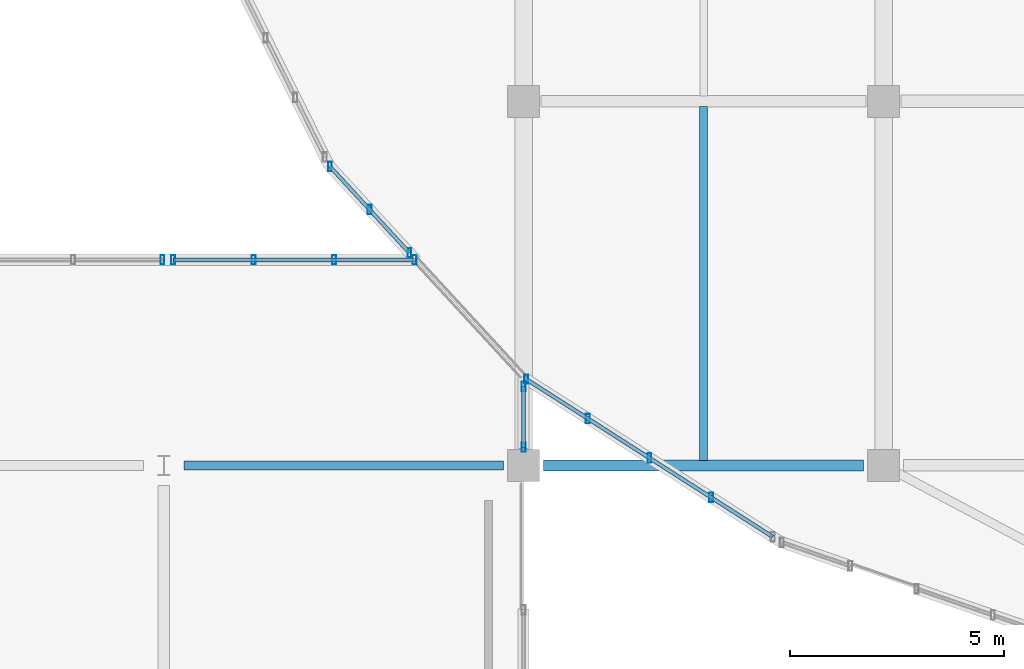
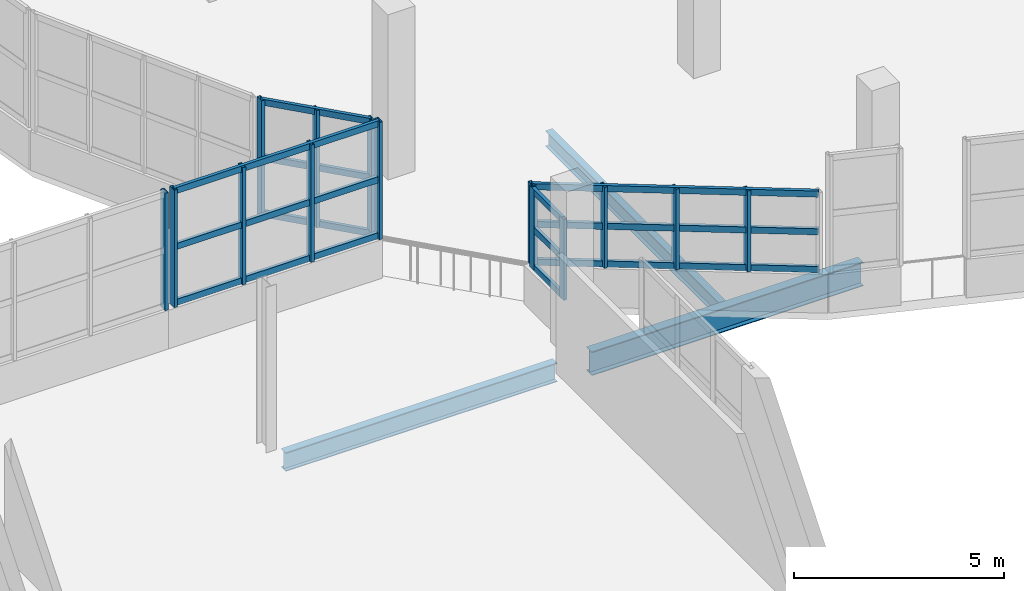
# One storey, part 11 of 117: 26 members, 3 beams, 5 elements without a shape of their own.
"""IFC4 building model written with IfcOpenShell, lengths in metres."""

import ifcopenshell
import ifcopenshell.guid

model = None  # the IFC model being written
_history = None  # IfcOwnerHistory: only IFC2X3 demands one
_inside = {}  # id of a spatial element -> (the spatial element, [elements in it])
_under = {}  # id of a project, library or spatial element -> (it, [spatial elements below it])
_declared = {}  # id of a project -> (the project, [libraries it declares])
_typed = {}  # id of a type object -> (the type object, [elements of that type])
_made_of = {}  # id of a material, layer set ... -> (it, [elements and type objects made of it])


def new_model(schema):
    """Start an empty IFC model of exactly this schema.

    Asked for "IFC4X3", IfcOpenShell would pick the latest addendum, in which some entities
    have other attributes; the version numbers below select the first issue.
    IFC2X3 requires an IfcOwnerHistory on every rooted entity: one is made here for all.
    """
    global model, _history
    if schema == "IFC4X3":
        model = ifcopenshell.file(schema_version=(4, 3, 0, 0))
    else:
        model = ifcopenshell.file(schema=schema)
    _inside.clear()
    _under.clear()
    _declared.clear()
    _typed.clear()
    _made_of.clear()
    _history = None
    if model.schema == "IFC2X3":
        org = make("IfcOrganization", Name="unknown")
        user = make(
            "IfcPersonAndOrganization",
            ThePerson=make("IfcPerson", FamilyName="unknown"),
            TheOrganization=org,
        )
        app = make(
            "IfcApplication",
            ApplicationDeveloper=org,
            Version="unknown",
            ApplicationFullName="unknown",
            ApplicationIdentifier="unknown",
        )
        _history = make(
            "IfcOwnerHistory",
            OwningUser=user,
            OwningApplication=app,
            ChangeAction="ADDED",
            CreationDate=0,
        )
    return model


def make(cls, **values):
    """One entity of the class cls with the attributes given. An attribute that is None is left unset."""
    return model.create_entity(
        cls, **{name: value for name, value in values.items() if value is not None}
    )


def rooted(cls, **values):
    """An entity with a GlobalId (a new one), such as an element, a storey or a relation."""
    return make(cls, GlobalId=ifcopenshell.guid.new(), OwnerHistory=_history, **values)


def si_unit(unit_type, name, prefix=None):
    """IfcSIUnit, for example si_unit("LENGTHUNIT", "METRE", prefix="MILLI")."""
    return make("IfcSIUnit", UnitType=unit_type, Prefix=prefix, Name=name)


def assignment(units):
    """IfcUnitAssignment: the units of a project."""
    return None if units is None else make("IfcUnitAssignment", Units=units)


def point(xyz):
    """IfcCartesianPoint."""
    return None if xyz is None else make("IfcCartesianPoint", Coordinates=xyz)


def direction(xyz):
    """IfcDirection."""
    return None if xyz is None else make("IfcDirection", DirectionRatios=xyz)


def frame(location, z_axis=None, x_axis=None):
    """IfcAxis2Placement3D, a coordinate frame: its origin and axes. An axis left out is left unset."""
    return make(
        "IfcAxis2Placement3D",
        Location=point(location),
        Axis=direction(z_axis),
        RefDirection=direction(x_axis),
    )


def frame_2d(location, x_axis=None):
    """IfcAxis2Placement2D, a coordinate frame in the plane: its origin and x axis."""
    return make(
        "IfcAxis2Placement2D", Location=point(location), RefDirection=direction(x_axis)
    )


def origin():
    """The frame at (0, 0, 0) with its axes left unset."""
    return frame((0.0, 0.0, 0.0))


def origin_2d():
    """The frame at (0, 0) in the plane with its x axis left unset."""
    return frame_2d((0.0, 0.0))


def place(relative_to, where):
    """IfcLocalPlacement: puts the frame where relative to a parent placement (None: the world)."""
    return make(
        "IfcLocalPlacement", PlacementRelTo=relative_to, RelativePlacement=where
    )


def context(
    kind, dimensions, precision=None, world=None, true_north=None, identifier=None
):
    """IfcGeometricRepresentationContext, for example the 3D "Model" context."""
    return make(
        "IfcGeometricRepresentationContext",
        ContextIdentifier=identifier,
        ContextType=kind,
        CoordinateSpaceDimension=dimensions,
        Precision=precision,
        WorldCoordinateSystem=world,
        TrueNorth=true_north,
    )


def subcontext(parent, identifier, kind, view, scale=None):
    """IfcGeometricRepresentationSubContext, for example "Body" below "Model"."""
    return make(
        "IfcGeometricRepresentationSubContext",
        ContextIdentifier=identifier,
        ContextType=kind,
        ParentContext=parent,
        TargetScale=scale,
        TargetView=view,
    )


def project(units=None, contexts=None):
    """IfcProject with its units and contexts."""
    return rooted(
        "IfcProject",
        Name="project",
        RepresentationContexts=contexts,
        UnitsInContext=assignment(units),
    )


def spatial(cls, under=None, at=None, **own):
    """A site, building, storey or space (cls), placed at a placement, below another one or the project."""
    s = rooted(cls, ObjectPlacement=at, **own)
    if under is not None:
        _under.setdefault(under.id(), (under, []))[1].append(s)
    return s


def profile(cls, at=None, kind="AREA", **sizes):
    """A parametric profile (cls). Its sizes go by their IFC names, for example OverallWidth=200.0."""
    return make(cls, ProfileType=kind, Position=at, **sizes)


def hollow_rectangle(**sizes):
    """IfcRectangleHollowProfileDef."""
    return profile("IfcRectangleHollowProfileDef", **sizes)


def i_section(**sizes):
    """IfcIShapeProfileDef."""
    return profile("IfcIShapeProfileDef", **sizes)


def extrude(swept, where, along, depth):
    """IfcExtrudedAreaSolid: the profile swept, set in the frame where, extruded along a direction by depth."""
    return make(
        "IfcExtrudedAreaSolid",
        SweptArea=swept,
        Position=where,
        ExtrudedDirection=direction(along),
        Depth=depth,
    )


def shape(context_of_items, identifier, shape_type, items):
    """IfcShapeRepresentation: the items that make up one representation, for example the "Body"."""
    return make(
        "IfcShapeRepresentation",
        ContextOfItems=context_of_items,
        RepresentationIdentifier=identifier,
        RepresentationType=shape_type,
        Items=items,
    )


def material(Name=None, Category=None):
    """IfcMaterial."""
    return make("IfcMaterial", Name=Name, Category=Category)


def material_profile(
    of_material, cross_section, Name=None, Category=None, Priority=None
):
    """IfcMaterialProfile: a cross section and its material."""
    return make(
        "IfcMaterialProfile",
        Name=Name,
        Material=of_material,
        Profile=cross_section,
        Priority=Priority,
        Category=Category,
    )


def profile_set(profiles, Name=None, composite=None):
    """IfcMaterialProfileSet."""
    return make(
        "IfcMaterialProfileSet",
        Name=Name,
        MaterialProfiles=profiles,
        CompositeProfile=composite,
    )


def made_of(thing, what):
    """Note that an element or type object is made of a material, layer set ...; save() writes the relation."""
    if what is not None:
        _made_of.setdefault(what.id(), (what, []))[1].append(thing)
    return thing


def type_object(cls, material=None, **own):
    """A type object (cls), such as IfcWallType, which elements share."""
    return made_of(rooted(cls, **own), material)


def element(
    cls,
    number,
    at=None,
    inside=None,
    cuts=None,
    type_object=None,
    material=None,
    context=None,
    identifier="Body",
    shape_type=None,
    held_by="IfcProductDefinitionShape",
    body=None,
    shapes=None,
    **own,
):
    """One element of the class cls, such as IfcWall. Its Tag is "e" and its number.

    at: its placement. inside: the storey or other place that contains it. cuts: it is an
    opening in that element (IfcRelVoidsElement). A single representation is given by context,
    identifier, shape_type and body (its items); several are given by shapes. held_by: the class
    of the entity that holds the representations. save() writes the other relations.
    """
    e = rooted(cls, Tag="e%d" % number, ObjectPlacement=at, **own)
    if body is not None:
        shapes = [shape(context, identifier, shape_type, body)]
    if shapes is not None:
        e.Representation = make(held_by, Representations=shapes)
    if inside is not None:
        _inside.setdefault(inside.id(), (inside, []))[1].append(e)
    if cuts is not None:
        rooted(
            "IfcRelVoidsElement", RelatingBuildingElement=cuts, RelatedOpeningElement=e
        )
    if type_object is not None:
        _typed.setdefault(type_object.id(), (type_object, []))[1].append(e)
    return made_of(e, material)


def aggregate(whole, parts):
    """IfcRelAggregates: a whole, such as a stair, and the parts it consists of."""
    return rooted("IfcRelAggregates", RelatingObject=whole, RelatedObjects=parts)


def save(model, path):
    """Write the relations noted so far, then the file.

    IfcRelAggregates (storeys below a building ...), IfcRelContainedInSpatialStructure (elements
    in a storey), IfcRelDefinesByType, IfcRelAssociatesMaterial and IfcRelDeclares: one each for
    every whole, place, type object, material and project.
    """
    for whole, parts in _under.values():
        aggregate(whole, parts)
    for where, things in _inside.values():
        rooted(
            "IfcRelContainedInSpatialStructure",
            RelatedElements=things,
            RelatingStructure=where,
        )
    for kind, things in _typed.values():
        rooted("IfcRelDefinesByType", RelatedObjects=things, RelatingType=kind)
    for what, things in _made_of.values():
        rooted("IfcRelAssociatesMaterial", RelatedObjects=things, RelatingMaterial=what)
    for by, libraries in _declared.values():
        rooted("IfcRelDeclares", RelatingContext=by, RelatedDefinitions=libraries)
    model.write(path)


model = new_model("IFC4")

# Units and contexts
model_context = context("Model", 3, precision=1e-05, world=origin(), true_north=direction((0.0, 1.0)))
body_context = subcontext(model_context, "Body", "Model", "MODEL_VIEW")
ifc_project = project(units=[si_unit("LENGTHUNIT", "METRE"), si_unit("AREAUNIT", "SQUARE_METRE"), si_unit("VOLUMEUNIT", "CUBIC_METRE"), si_unit("PLANEANGLEUNIT", "RADIAN"), si_unit("MASSUNIT", "GRAM", prefix="KILO")], contexts=[model_context])

# Site, building, storey
site_placement = place(None, origin())
site = spatial("IfcSite", under=ifc_project, at=site_placement, CompositionType="ELEMENT")
building_placement = place(site_placement, origin())
building = spatial("IfcBuilding", under=site, at=building_placement, Name="Solvento Point Concert Hall", CompositionType="ELEMENT")
storey_placement = place(building_placement, frame((0.0, 0.0, 5.39990234375)))
storey = spatial("IfcBuildingStorey", under=building, at=storey_placement, Name="L01", CompositionType="ELEMENT", Elevation=5.39990234375)

# Beams
ifc_material_1 = material(Name="Structural Steel ASTM A992 Grade 50", Category="steel")
ifc_material_profile_1 = material_profile(ifc_material_1, i_section(OverallWidth=0.214111328125, OverallDepth=0.549072265625, WebThickness=0.0146484375, FlangeThickness=0.023681640625, at=origin_2d()), Name="W21X93")
ifc_profile_set_1 = profile_set([ifc_material_profile_1], Name="Structural Steel ASTM A992 Grade 50")
beam_type_1 = type_object("IfcBeamType", Name="Beam_W21X93", PredefinedType="BEAM", material=ifc_profile_set_1)
beam_1_placement = place(storey_placement, frame((32.868896484375, 17.0, -0.558349609375), z_axis=(1.0, 0.0, 0.0), x_axis=(0.0, 1.0, 0.0)))
element("IfcBeam", 1, at=beam_1_placement, inside=storey, type_object=beam_type_1, Name="Primary girder B-48 L01", PredefinedType="BEAM", context=body_context, shape_type="SweptSolid", body=[
    extrude(i_section(OverallWidth=0.214111328125, OverallDepth=0.549072265625, WebThickness=0.0146484375, FlangeThickness=0.023681640625, at=origin_2d()), origin(), (0.0, 0.0, 1.0), 7.462158203125),
])
ifc_material_2 = material(Name="Structural Steel ASTM A992 Grade 50", Category="steel")
ifc_material_profile_2 = material_profile(ifc_material_2, i_section(OverallWidth=0.256103515625, OverallDepth=0.693115234375, WebThickness=0.014404296875, FlangeThickness=0.023681640625, at=origin_2d()), Name="W27X114")
ifc_profile_set_2 = profile_set([ifc_material_profile_2], Name="Structural Steel ASTM A992 Grade 50")
beam_type_2 = type_object("IfcBeamType", Name="Girder_W27X114", PredefinedType="USERDEFINED", material=ifc_profile_set_2)
beam_2_placement = place(storey_placement, frame((41.26904296875, 17.0, -0.63037109375), z_axis=(1.0, 0.0, 0.0), x_axis=(0.0, 1.0, 0.0)))
element("IfcBeam", 2, at=beam_2_placement, inside=storey, type_object=beam_type_2, Name="Primary girder B-23 L01", ObjectType="GIRDER", PredefinedType="USERDEFINED", context=body_context, shape_type="SweptSolid", body=[
    extrude(i_section(OverallWidth=0.256103515625, OverallDepth=0.693115234375, WebThickness=0.014404296875, FlangeThickness=0.023681640625, at=origin_2d()), origin(), (0.0, 0.0, 1.0), 7.4619140625),
])
ifc_material_3 = material(Name="Structural Steel ASTM A992 Grade 50", Category="steel")
ifc_material_profile_3 = material_profile(ifc_material_3, i_section(OverallWidth=0.1904296875, OverallDepth=0.45703125, WebThickness=0.009033203125, FlangeThickness=0.014404296875, at=origin_2d()), Name="W18X50")
ifc_profile_set_3 = profile_set([ifc_material_profile_3], Name="Structural Steel ASTM A992 Grade 50")
beam_type_3 = type_object("IfcBeamType", Name="Joist_W18X50", PredefinedType="JOIST", material=ifc_profile_set_3)
beam_3_placement = place(storey_placement, frame((45.0, 17.113037109375, -0.512451171875), z_axis=(0.0, 1.0, 0.0), x_axis=(-1.0, 0.0, 0.0)))
element("IfcBeam", 3, at=beam_3_placement, inside=storey, type_object=beam_type_3, Name="Secondary floor joist B-66 L01", PredefinedType="JOIST", context=body_context, shape_type="SweptSolid", body=[
    extrude(i_section(OverallWidth=0.1904296875, OverallDepth=0.45703125, WebThickness=0.009033203125, FlangeThickness=0.014404296875, at=origin_2d()), origin(), (0.0, 0.0, 1.0), 8.26806640625),
])

# Curtain wall, member
ifc_material_4 = material(Name="Anodized Bronze Aluminium", Category="aluminium")
curtain_wall_type = type_object("IfcCurtainWallType", Name="CurtainWall_RingRibbon_L01_02", PredefinedType="USERDEFINED", material=ifc_material_4)
curtain_wall_1_placement = place(storey_placement, origin())
curtain_wall_1 = element("IfcCurtainWall", 4, at=curtain_wall_1_placement, inside=storey, type_object=curtain_wall_type, Name="Unitised curtain wall CW-59 UCW-L01-093", ObjectType="UNITISED CURTAIN WALL", PredefinedType="USERDEFINED")
ifc_material_5 = material(Name="Anodized Bronze Aluminium", Category="aluminium")
ifc_material_profile_4 = material_profile(ifc_material_5, hollow_rectangle(XDim=0.090087890625, YDim=0.219970703125, WallThickness=0.00439453125, at=origin_2d()), Name="CW-MUL-90X220")
ifc_profile_set_4 = profile_set([ifc_material_profile_4], Name="Anodized Bronze Aluminium")
member_type_1 = type_object("IfcMemberType", Name="Mullion_90x220", PredefinedType="MULLION", material=ifc_profile_set_4)
member_1_placement = place(storey_placement, frame((32.3701171875, 21.800048828125, 1.1201171875), z_axis=(0.0, 0.0, 1.0), x_axis=(1.0, 0.0, 0.0)))
member_1 = element("IfcMember", 5, at=member_1_placement, type_object=member_type_1, Name="Curtain wall mullion ML-02", PredefinedType="MULLION", context=body_context, shape_type="SweptSolid", body=[
    extrude(hollow_rectangle(XDim=0.090087890625, YDim=0.219970703125, WallThickness=0.00439453125, at=origin_2d()), origin(), (0.0, 0.0, 1.0), 3.409912109375),
])
aggregate(curtain_wall_1, [member_1])

# Curtain wall, members
curtain_wall_2_placement = place(storey_placement, origin())
curtain_wall_2 = element("IfcCurtainWall", 6, at=curtain_wall_2_placement, inside=storey, type_object=curtain_wall_type, Name="Unitised curtain wall CW-59 UCW-L01-094", ObjectType="UNITISED CURTAIN WALL", PredefinedType="USERDEFINED")
member_2_placement = place(storey_placement, frame((32.6201171875, 21.800048828125, 1.1201171875), z_axis=(0.0, 0.0, 1.0), x_axis=(1.0, 0.0, 0.0)))
member_2 = element("IfcMember", 7, at=member_2_placement, type_object=member_type_1, Name="Curtain wall mullion ML-02", PredefinedType="MULLION", context=body_context, shape_type="SweptSolid", body=[
    extrude(hollow_rectangle(XDim=0.090087890625, YDim=0.219970703125, WallThickness=0.00439453125, at=origin_2d()), origin(), (0.0, 0.0, 1.0), 3.409912109375),
])
member_3_placement = place(storey_placement, frame((34.498046875, 21.800048828125, 1.1201171875), z_axis=(0.0, 0.0, 1.0), x_axis=(1.0, 0.0, 0.0)))
member_3 = element("IfcMember", 8, at=member_3_placement, type_object=member_type_1, Name="Curtain wall mullion ML-02", PredefinedType="MULLION", context=body_context, shape_type="SweptSolid", body=[
    extrude(hollow_rectangle(XDim=0.090087890625, YDim=0.219970703125, WallThickness=0.00439453125, at=origin_2d()), origin(), (0.0, 0.0, 1.0), 3.409912109375),
])
member_4_placement = place(storey_placement, frame((36.376220703125, 21.800048828125, 1.1201171875), z_axis=(0.0, 0.0, 1.0), x_axis=(1.0, 0.0, 0.0)))
member_4 = element("IfcMember", 9, at=member_4_placement, type_object=member_type_1, Name="Curtain wall mullion ML-02", PredefinedType="MULLION", context=body_context, shape_type="SweptSolid", body=[
    extrude(hollow_rectangle(XDim=0.090087890625, YDim=0.219970703125, WallThickness=0.00439453125, at=origin_2d()), origin(), (0.0, 0.0, 1.0), 3.409912109375),
])
member_5_placement = place(storey_placement, frame((38.254150390625, 21.800048828125, 1.1201171875), z_axis=(0.0, 0.0, 1.0), x_axis=(1.0, 0.0, 0.0)))
member_5 = element("IfcMember", 10, at=member_5_placement, type_object=member_type_1, Name="Curtain wall mullion ML-02", PredefinedType="MULLION", context=body_context, shape_type="SweptSolid", body=[
    extrude(hollow_rectangle(XDim=0.090087890625, YDim=0.219970703125, WallThickness=0.00439453125, at=origin_2d()), origin(), (0.0, 0.0, 1.0), 3.409912109375),
])

curtain_wall_3_placement = place(storey_placement, origin())
curtain_wall_3 = element("IfcCurtainWall", 11, at=curtain_wall_3_placement, inside=storey, type_object=curtain_wall_type, Name="Unitised curtain wall CW-59 UCW-L01-095", ObjectType="UNITISED CURTAIN WALL", PredefinedType="USERDEFINED")
member_6_placement = place(storey_placement, frame((38.13525390625, 21.9619140625, 1.1201171875), z_axis=(0.0, 0.0, 1.0), x_axis=(1.0, 0.0, 0.0)))
member_6 = element("IfcMember", 12, at=member_6_placement, type_object=member_type_1, Name="Curtain wall mullion ML-02", PredefinedType="MULLION", context=body_context, shape_type="SweptSolid", body=[
    extrude(hollow_rectangle(XDim=0.090087890625, YDim=0.219970703125, WallThickness=0.00439453125, at=origin_2d()), origin(), (0.0, 0.0, 1.0), 3.409912109375),
])
member_7_placement = place(storey_placement, frame((37.20703125, 22.969970703125, 1.1201171875), z_axis=(0.0, 0.0, 1.0), x_axis=(1.0, 0.0, 0.0)))
member_7 = element("IfcMember", 13, at=member_7_placement, type_object=member_type_1, Name="Curtain wall mullion ML-02", PredefinedType="MULLION", context=body_context, shape_type="SweptSolid", body=[
    extrude(hollow_rectangle(XDim=0.090087890625, YDim=0.219970703125, WallThickness=0.00439453125, at=origin_2d()), origin(), (0.0, 0.0, 1.0), 3.409912109375),
])
member_8_placement = place(storey_placement, frame((36.27880859375, 23.977783203125, 1.1201171875), z_axis=(0.0, 0.0, 1.0), x_axis=(1.0, 0.0, 0.0)))
member_8 = element("IfcMember", 14, at=member_8_placement, type_object=member_type_1, Name="Curtain wall mullion ML-02", PredefinedType="MULLION", context=body_context, shape_type="SweptSolid", body=[
    extrude(hollow_rectangle(XDim=0.090087890625, YDim=0.219970703125, WallThickness=0.00439453125, at=origin_2d()), origin(), (0.0, 0.0, 1.0), 3.409912109375),
])

curtain_wall_4_placement = place(storey_placement, origin())
curtain_wall_4 = element("IfcCurtainWall", 15, at=curtain_wall_4_placement, inside=storey, type_object=curtain_wall_type, Name="Unitised curtain wall CW-59 UCW-L01-116", ObjectType="UNITISED CURTAIN WALL", PredefinedType="USERDEFINED")
member_9_placement = place(storey_placement, frame((45.176025390625, 16.253662109375, 1.1201171875), z_axis=(0.0, 0.0, 1.0), x_axis=(1.0, 0.0, 0.0)))
member_9 = element("IfcMember", 16, at=member_9_placement, type_object=member_type_1, Name="Curtain wall mullion ML-02", PredefinedType="MULLION", context=body_context, shape_type="SweptSolid", body=[
    extrude(hollow_rectangle(XDim=0.090087890625, YDim=0.219970703125, WallThickness=0.00439453125, at=origin_2d()), origin(), (0.0, 0.0, 1.0), 2.35205078125),
])
member_10_placement = place(storey_placement, frame((43.737548828125, 17.173583984375, 1.1201171875), z_axis=(0.0, 0.0, 1.0), x_axis=(1.0, 0.0, 0.0)))
member_10 = element("IfcMember", 17, at=member_10_placement, type_object=member_type_1, Name="Curtain wall mullion ML-02", PredefinedType="MULLION", context=body_context, shape_type="SweptSolid", body=[
    extrude(hollow_rectangle(XDim=0.090087890625, YDim=0.219970703125, WallThickness=0.00439453125, at=origin_2d()), origin(), (0.0, 0.0, 1.0), 2.35205078125),
])
member_11_placement = place(storey_placement, frame((42.299072265625, 18.093505859375, 1.1201171875), z_axis=(0.0, 0.0, 1.0), x_axis=(1.0, 0.0, 0.0)))
member_11 = element("IfcMember", 18, at=member_11_placement, type_object=member_type_1, Name="Curtain wall mullion ML-02", PredefinedType="MULLION", context=body_context, shape_type="SweptSolid", body=[
    extrude(hollow_rectangle(XDim=0.090087890625, YDim=0.219970703125, WallThickness=0.00439453125, at=origin_2d()), origin(), (0.0, 0.0, 1.0), 2.35205078125),
])
member_12_placement = place(storey_placement, frame((40.860595703125, 19.01318359375, 1.1201171875), z_axis=(0.0, 0.0, 1.0), x_axis=(1.0, 0.0, 0.0)))
member_12 = element("IfcMember", 19, at=member_12_placement, type_object=member_type_1, Name="Curtain wall mullion ML-02", PredefinedType="MULLION", context=body_context, shape_type="SweptSolid", body=[
    extrude(hollow_rectangle(XDim=0.090087890625, YDim=0.219970703125, WallThickness=0.00439453125, at=origin_2d()), origin(), (0.0, 0.0, 1.0), 2.35205078125),
])

curtain_wall_5_placement = place(storey_placement, origin())
curtain_wall_5 = element("IfcCurtainWall", 20, at=curtain_wall_5_placement, inside=storey, type_object=curtain_wall_type, Name="Unitised curtain wall CW-59 UCW-L01-118", ObjectType="UNITISED CURTAIN WALL", PredefinedType="USERDEFINED")
member_13_placement = place(storey_placement, frame((40.800048828125, 17.425048828125, 1.1201171875), z_axis=(0.0, 0.0, 1.0), x_axis=(1.0, 0.0, 0.0)))
member_13 = element("IfcMember", 21, at=member_13_placement, type_object=member_type_1, Name="Curtain wall mullion ML-02", PredefinedType="MULLION", context=body_context, shape_type="SweptSolid", body=[
    extrude(hollow_rectangle(XDim=0.090087890625, YDim=0.219970703125, WallThickness=0.00439453125, at=origin_2d()), origin(), (0.0, 0.0, 1.0), 2.35205078125),
])
member_14_placement = place(storey_placement, frame((40.800048828125, 18.84765625, 1.1201171875), z_axis=(0.0, 0.0, 1.0), x_axis=(1.0, 0.0, 0.0)))
member_14 = element("IfcMember", 22, at=member_14_placement, type_object=member_type_1, Name="Curtain wall mullion ML-02", PredefinedType="MULLION", context=body_context, shape_type="SweptSolid", body=[
    extrude(hollow_rectangle(XDim=0.090087890625, YDim=0.219970703125, WallThickness=0.00439453125, at=origin_2d()), origin(), (0.0, 0.0, 1.0), 2.35205078125),
])

# Member
ifc_material_6 = material(Name="Anodized Bronze Aluminium", Category="aluminium")
ifc_material_profile_5 = material_profile(ifc_material_6, hollow_rectangle(XDim=0.090087890625, YDim=0.179931640625, WallThickness=0.00439453125, at=origin_2d()), Name="CW-TRN-90X180")
ifc_profile_set_5 = profile_set([ifc_material_profile_5], Name="Anodized Bronze Aluminium")
member_type_2 = type_object("IfcMemberType", Name="Transom_90x180", PredefinedType="USERDEFINED", material=ifc_profile_set_5)
member_15_placement = place(storey_placement, frame((32.6201171875, 21.800048828125, 1.2001953125), z_axis=(1.0, 0.0, 0.0), x_axis=(0.0, 1.0, 0.0)))
member_15 = element("IfcMember", 23, at=member_15_placement, type_object=member_type_2, Name="Curtain wall transom TR-02", ObjectType="TRANSOM", PredefinedType="USERDEFINED", context=body_context, shape_type="SweptSolid", body=[
    extrude(hollow_rectangle(XDim=0.090087890625, YDim=0.179931640625, WallThickness=0.00439453125, at=origin_2d()), origin(), (0.0, 0.0, 1.0), 5.634033203125),
])

member_16_placement = place(storey_placement, frame((32.6201171875, 21.800048828125, 2.8251953125), z_axis=(1.0, 0.0, 0.0), x_axis=(0.0, 1.0, 0.0)))
member_16 = element("IfcMember", 24, at=member_16_placement, type_object=member_type_2, Name="Curtain wall transom TR-02", ObjectType="TRANSOM", PredefinedType="USERDEFINED", context=body_context, shape_type="SweptSolid", body=[
    extrude(hollow_rectangle(XDim=0.090087890625, YDim=0.179931640625, WallThickness=0.00439453125, at=origin_2d()), origin(), (0.0, 0.0, 1.0), 5.634033203125),
])

member_17_placement = place(storey_placement, frame((32.6201171875, 21.800048828125, 4.4501953125), z_axis=(1.0, 0.0, 0.0), x_axis=(0.0, 1.0, 0.0)))
member_17 = element("IfcMember", 25, at=member_17_placement, type_object=member_type_2, Name="Curtain wall transom TR-02", ObjectType="TRANSOM", PredefinedType="USERDEFINED", context=body_context, shape_type="SweptSolid", body=[
    extrude(hollow_rectangle(XDim=0.090087890625, YDim=0.179931640625, WallThickness=0.00439453125, at=origin_2d()), origin(), (0.0, 0.0, 1.0), 5.634033203125),
])

aggregate(curtain_wall_2, [member_2, member_3, member_4, member_5, member_15, member_16, member_17])

member_18_placement = place(storey_placement, frame((38.13525390625, 21.9619140625, 1.2001953125), z_axis=(-0.677421212258, 0.735595337929, 0.0), x_axis=(-0.735595337929, -0.677421212258, 0.0)))
member_18 = element("IfcMember", 26, at=member_18_placement, type_object=member_type_2, Name="Curtain wall transom TR-02", ObjectType="TRANSOM", PredefinedType="USERDEFINED", context=body_context, shape_type="SweptSolid", body=[
    extrude(hollow_rectangle(XDim=0.090087890625, YDim=0.179931640625, WallThickness=0.00439453125, at=origin_2d()), origin(), (0.0, 0.0, 1.0), 2.740478515625),
])

member_19_placement = place(storey_placement, frame((38.13525390625, 21.9619140625, 2.8251953125), z_axis=(-0.677421212258, 0.735595337929, 0.0), x_axis=(-0.735595337929, -0.677421212258, 0.0)))
member_19 = element("IfcMember", 27, at=member_19_placement, type_object=member_type_2, Name="Curtain wall transom TR-02", ObjectType="TRANSOM", PredefinedType="USERDEFINED", context=body_context, shape_type="SweptSolid", body=[
    extrude(hollow_rectangle(XDim=0.090087890625, YDim=0.179931640625, WallThickness=0.00439453125, at=origin_2d()), origin(), (0.0, 0.0, 1.0), 2.740478515625),
])

member_20_placement = place(storey_placement, frame((38.13525390625, 21.9619140625, 4.4501953125), z_axis=(-0.677421212258, 0.735595337929, 0.0), x_axis=(-0.735595337929, -0.677421212258, 0.0)))
member_20 = element("IfcMember", 28, at=member_20_placement, type_object=member_type_2, Name="Curtain wall transom TR-02", ObjectType="TRANSOM", PredefinedType="USERDEFINED", context=body_context, shape_type="SweptSolid", body=[
    extrude(hollow_rectangle(XDim=0.090087890625, YDim=0.179931640625, WallThickness=0.00439453125, at=origin_2d()), origin(), (0.0, 0.0, 1.0), 2.740478515625),
])

aggregate(curtain_wall_3, [member_6, member_7, member_8, member_18, member_19, member_20])

member_21_placement = place(storey_placement, frame((46.61474609375, 15.333984375, 1.2001953125), z_axis=(-0.84250113822, 0.5386945629, 0.0), x_axis=(-0.5386945629, -0.84250113822, 0.0)))
member_21 = element("IfcMember", 29, at=member_21_placement, type_object=member_type_2, Name="Curtain wall transom TR-02", ObjectType="TRANSOM", PredefinedType="USERDEFINED", context=body_context, shape_type="SweptSolid", body=[
    extrude(hollow_rectangle(XDim=0.090087890625, YDim=0.179931640625, WallThickness=0.00439453125, at=origin_2d()), origin(), (0.0, 0.0, 1.0), 6.829833984375),
])

member_22_placement = place(storey_placement, frame((46.61474609375, 15.333984375, 2.296142578125), z_axis=(-0.84250113822, 0.5386945629, 0.0), x_axis=(-0.5386945629, -0.84250113822, 0.0)))
member_22 = element("IfcMember", 30, at=member_22_placement, type_object=member_type_2, Name="Curtain wall transom TR-02", ObjectType="TRANSOM", PredefinedType="USERDEFINED", context=body_context, shape_type="SweptSolid", body=[
    extrude(hollow_rectangle(XDim=0.090087890625, YDim=0.179931640625, WallThickness=0.00439453125, at=origin_2d()), origin(), (0.0, 0.0, 1.0), 6.829833984375),
])

member_23_placement = place(storey_placement, frame((46.61474609375, 15.333984375, 3.39208984375), z_axis=(-0.84250113822, 0.5386945629, 0.0), x_axis=(-0.5386945629, -0.84250113822, 0.0)))
member_23 = element("IfcMember", 31, at=member_23_placement, type_object=member_type_2, Name="Curtain wall transom TR-02", ObjectType="TRANSOM", PredefinedType="USERDEFINED", context=body_context, shape_type="SweptSolid", body=[
    extrude(hollow_rectangle(XDim=0.090087890625, YDim=0.179931640625, WallThickness=0.00439453125, at=origin_2d()), origin(), (0.0, 0.0, 1.0), 6.829833984375),
])

aggregate(curtain_wall_4, [member_9, member_10, member_11, member_12, member_21, member_22, member_23])

member_24_placement = place(storey_placement, frame((40.800048828125, 17.425048828125, 1.2001953125), z_axis=(0.0, 1.0, 0.0), x_axis=(-1.0, 0.0, 0.0)))
member_24 = element("IfcMember", 32, at=member_24_placement, type_object=member_type_2, Name="Curtain wall transom TR-02", ObjectType="TRANSOM", PredefinedType="USERDEFINED", context=body_context, shape_type="SweptSolid", body=[
    extrude(hollow_rectangle(XDim=0.090087890625, YDim=0.179931640625, WallThickness=0.00439453125, at=origin_2d()), origin(), (0.0, 0.0, 1.0), 1.422607421875),
])

member_25_placement = place(storey_placement, frame((40.800048828125, 17.425048828125, 2.296142578125), z_axis=(0.0, 1.0, 0.0), x_axis=(-1.0, 0.0, 0.0)))
member_25 = element("IfcMember", 33, at=member_25_placement, type_object=member_type_2, Name="Curtain wall transom TR-02", ObjectType="TRANSOM", PredefinedType="USERDEFINED", context=body_context, shape_type="SweptSolid", body=[
    extrude(hollow_rectangle(XDim=0.090087890625, YDim=0.179931640625, WallThickness=0.00439453125, at=origin_2d()), origin(), (0.0, 0.0, 1.0), 1.422607421875),
])

member_26_placement = place(storey_placement, frame((40.800048828125, 17.425048828125, 3.39208984375), z_axis=(0.0, 1.0, 0.0), x_axis=(-1.0, 0.0, 0.0)))
member_26 = element("IfcMember", 34, at=member_26_placement, type_object=member_type_2, Name="Curtain wall transom TR-02", ObjectType="TRANSOM", PredefinedType="USERDEFINED", context=body_context, shape_type="SweptSolid", body=[
    extrude(hollow_rectangle(XDim=0.090087890625, YDim=0.179931640625, WallThickness=0.00439453125, at=origin_2d()), origin(), (0.0, 0.0, 1.0), 1.422607421875),
])

aggregate(curtain_wall_5, [member_13, member_14, member_24, member_25, member_26])

save(model, "model.ifc")
